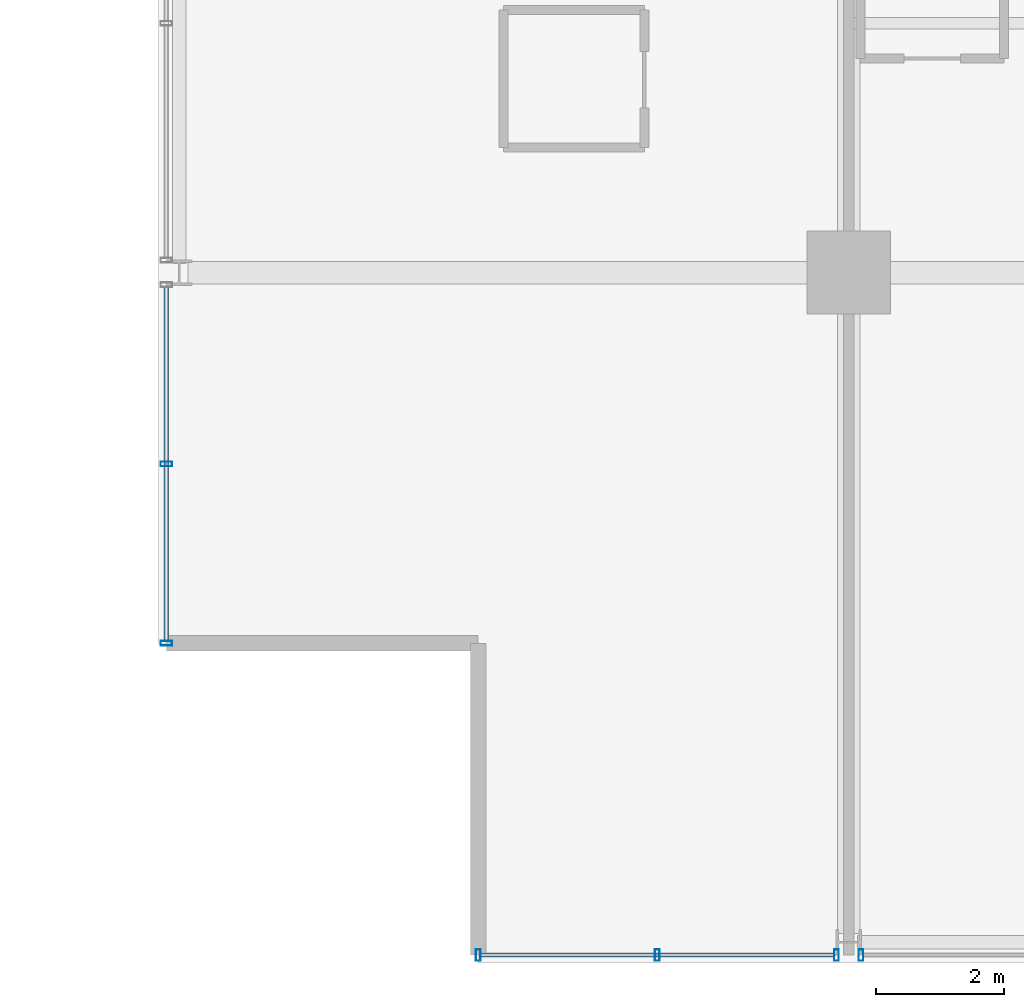
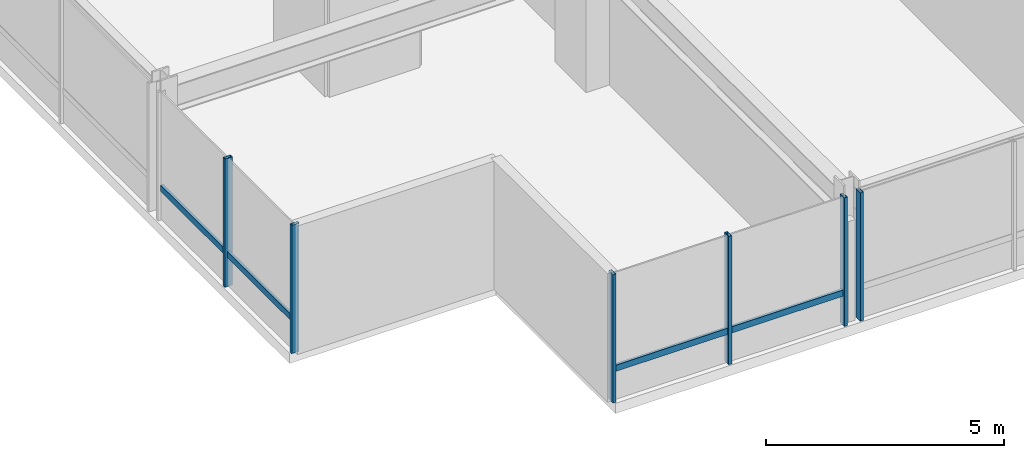
# One storey, part 2 of 32: 8 members, 3 elements without a shape of their own.
"""IFC4 building model written with IfcOpenShell, lengths in metres."""

from ifc_helpers import new_model, si_unit, direction, frame, origin, origin_2d, place, context, subcontext, project, spatial, hollow_rectangle, extrude, material, layer, layer_set, material_profile, profile_set, type_object, element, aggregate, save


model = new_model("IFC4")

# Units and contexts
model_context = context("Model", 3, precision=1e-05, world=origin(), true_north=direction((0.0, 1.0)))
body_context = subcontext(model_context, "Body", "Model", "MODEL_VIEW")
ifc_project = project(units=[si_unit("LENGTHUNIT", "METRE"), si_unit("AREAUNIT", "SQUARE_METRE"), si_unit("VOLUMEUNIT", "CUBIC_METRE"), si_unit("PLANEANGLEUNIT", "RADIAN"), si_unit("MASSUNIT", "GRAM", prefix="KILO")], contexts=[model_context])

# Site, building, storey
site_placement = place(None, origin())
site = spatial("IfcSite", under=ifc_project, at=site_placement, CompositionType="ELEMENT")
building_placement = place(site_placement, origin())
building = spatial("IfcBuilding", under=site, at=building_placement, Name="Drelvath Grand Hotel", CompositionType="ELEMENT")
storey_placement = place(building_placement, frame((0.0, 0.0, 182.35009765625)))
storey = spatial("IfcBuildingStorey", under=building, at=storey_placement, Name="L47", CompositionType="ELEMENT", Elevation=182.35009765625)

# Curtain wall, member
ifc_material = material(Name="Brushed Pale-Silver Anodised Aluminium Frame", Category="aluminium")
ifc_layer = layer(ifc_material, 0.199951171875)
ifc_layer_set = layer_set([ifc_layer], Name="Brushed Pale-Silver Anodised Aluminium Frame")
curtain_wall_type = type_object("IfcCurtainWallType", Name="Stick Curtain Wall CW-04 Brushed Silver Upper-Mid", PredefinedType="NOTDEFINED", material=ifc_layer_set)
curtain_wall_1_placement = place(storey_placement, origin())
curtain_wall_1 = element("IfcCurtainWall", 1, at=curtain_wall_1_placement, inside=storey, type_object=curtain_wall_type, Name="L47 CW-04 Curtain Wall CW04-L47-WS1", PredefinedType="NOTDEFINED")
ifc_material_profile_1 = material_profile(ifc_material, hollow_rectangle(XDim=0.06494140625, YDim=0.159912109375, WallThickness=0.00390625, at=origin_2d()), Name="HSS160X65X4")
ifc_profile_set_1 = profile_set([ifc_material_profile_1], Name="Brushed Pale-Silver Anodised Aluminium Frame")
member_type_1 = type_object("IfcMemberType", Name="Curtain Wall Horizontal Transom CW-04 HSS160X65X4", PredefinedType="USERDEFINED", material=ifc_profile_set_1)
member_1_placement = place(storey_placement, frame((-26.8798828125, 5.0400390625, 0.822509765625), z_axis=(0.0, 1.0, 0.0), x_axis=(-1.0, 0.0, 0.0)))
member_1 = element("IfcMember", 2, at=member_1_placement, type_object=member_type_1, Name="CW04-L47-WS1 Sill Transom", ObjectType="TRANSOM", PredefinedType="USERDEFINED", context=body_context, shape_type="SweptSolid", body=[
    extrude(hollow_rectangle(XDim=0.06494140625, YDim=0.159912109375, WallThickness=0.00390625, at=origin_2d()), origin(), (0.0, 0.0, 1.0), 5.5283203125),
])

curtain_wall_2_placement = place(storey_placement, origin())
curtain_wall_2 = element("IfcCurtainWall", 3, at=curtain_wall_2_placement, inside=storey, type_object=curtain_wall_type, Name="L47 CW-04 Curtain Wall CW04-L47-SW1", PredefinedType="NOTDEFINED")
member_2_placement = place(storey_placement, frame((-16.431640625, 0.1201171875, 0.822509765625), z_axis=(-1.0, 0.0, 0.0), x_axis=(0.0, -1.0, 0.0)))
member_2 = element("IfcMember", 4, at=member_2_placement, type_object=member_type_1, Name="CW04-L47-SW1 Sill Transom", ObjectType="TRANSOM", PredefinedType="USERDEFINED", context=body_context, shape_type="SweptSolid", body=[
    extrude(hollow_rectangle(XDim=0.06494140625, YDim=0.159912109375, WallThickness=0.00390625, at=origin_2d()), origin(), (0.0, 0.0, 1.0), 5.5283203125),
])

# Member
ifc_material_profile_2 = material_profile(ifc_material, hollow_rectangle(XDim=0.074951171875, YDim=0.179931640625, WallThickness=0.0048828125, at=origin_2d()), Name="HSS180X75X5")
ifc_profile_set_2 = profile_set([ifc_material_profile_2], Name="Brushed Pale-Silver Anodised Aluminium Frame")
member_type_2 = type_object("IfcMemberType", Name="Curtain Wall Vertical Mullion CW-04 HSS180X75X5", PredefinedType="MULLION", material=ifc_profile_set_2)
member_3_placement = place(storey_placement, frame((-26.8798828125, 5.0, 0.0), z_axis=(0.0, 0.0, 1.0), x_axis=(0.0, 1.0, 0.0)))
member_3 = element("IfcMember", 5, at=member_3_placement, type_object=member_type_2, Name="CW04-L47-WS1 Mullion 1", PredefinedType="MULLION", context=body_context, shape_type="SweptSolid", body=[
    extrude(hollow_rectangle(XDim=0.074951171875, YDim=0.179931640625, WallThickness=0.0048828125, at=origin_2d()), origin(), (0.0, 0.0, 1.0), 3.289794921875),
])

member_4_placement = place(storey_placement, frame((-26.8798828125, 7.80419921875, 0.0), z_axis=(0.0, 0.0, 1.0), x_axis=(0.0, 1.0, 0.0)))
member_4 = element("IfcMember", 6, at=member_4_placement, type_object=member_type_2, Name="CW04-L47-WS1 Mullion 2", PredefinedType="MULLION", context=body_context, shape_type="SweptSolid", body=[
    extrude(hollow_rectangle(XDim=0.074951171875, YDim=0.179931640625, WallThickness=0.0048828125, at=origin_2d()), origin(), (0.0, 0.0, 1.0), 3.289794921875),
])

aggregate(curtain_wall_1, [member_3, member_4, member_1])

member_5_placement = place(storey_placement, frame((-16.3916015625, 0.1201171875, 0.0), z_axis=(0.0, 0.0, 1.0), x_axis=(1.0, 0.0, 0.0)))
member_5 = element("IfcMember", 7, at=member_5_placement, type_object=member_type_2, Name="CW04-L47-SW1 Mullion 1", PredefinedType="MULLION", context=body_context, shape_type="SweptSolid", body=[
    extrude(hollow_rectangle(XDim=0.074951171875, YDim=0.179931640625, WallThickness=0.0048828125, at=origin_2d()), origin(), (0.0, 0.0, 1.0), 3.289794921875),
])

member_6_placement = place(storey_placement, frame((-19.19580078125, 0.1201171875, 0.0), z_axis=(0.0, 0.0, 1.0), x_axis=(1.0, 0.0, 0.0)))
member_6 = element("IfcMember", 8, at=member_6_placement, type_object=member_type_2, Name="CW04-L47-SW1 Mullion 2", PredefinedType="MULLION", context=body_context, shape_type="SweptSolid", body=[
    extrude(hollow_rectangle(XDim=0.074951171875, YDim=0.179931640625, WallThickness=0.0048828125, at=origin_2d()), origin(), (0.0, 0.0, 1.0), 3.289794921875),
])

member_7_placement = place(storey_placement, frame((-22.0, 0.1201171875, 0.0), z_axis=(0.0, 0.0, 1.0), x_axis=(1.0, 0.0, 0.0)))
member_7 = element("IfcMember", 9, at=member_7_placement, type_object=member_type_2, Name="CW04-L47-SW1 Mullion 3", PredefinedType="MULLION", context=body_context, shape_type="SweptSolid", body=[
    extrude(hollow_rectangle(XDim=0.074951171875, YDim=0.179931640625, WallThickness=0.0048828125, at=origin_2d()), origin(), (0.0, 0.0, 1.0), 3.289794921875),
])

aggregate(curtain_wall_2, [member_5, member_6, member_7, member_2])

# Curtain wall, member
curtain_wall_3_placement = place(storey_placement, origin())
curtain_wall_3 = element("IfcCurtainWall", 10, at=curtain_wall_3_placement, inside=storey, type_object=curtain_wall_type, Name="L47 CW-04 Curtain Wall CW04-L47-SW2", PredefinedType="NOTDEFINED")
member_8_placement = place(storey_placement, frame((-16.00830078125, 0.1201171875, 0.0), z_axis=(0.0, 0.0, 1.0), x_axis=(1.0, 0.0, 0.0)))
member_8 = element("IfcMember", 11, at=member_8_placement, type_object=member_type_2, Name="CW04-L47-SW2 Mullion 3", PredefinedType="MULLION", context=body_context, shape_type="SweptSolid", body=[
    extrude(hollow_rectangle(XDim=0.074951171875, YDim=0.179931640625, WallThickness=0.0048828125, at=origin_2d()), origin(), (0.0, 0.0, 1.0), 3.289794921875),
])
aggregate(curtain_wall_3, [member_8])

save(model, "model.ifc")
